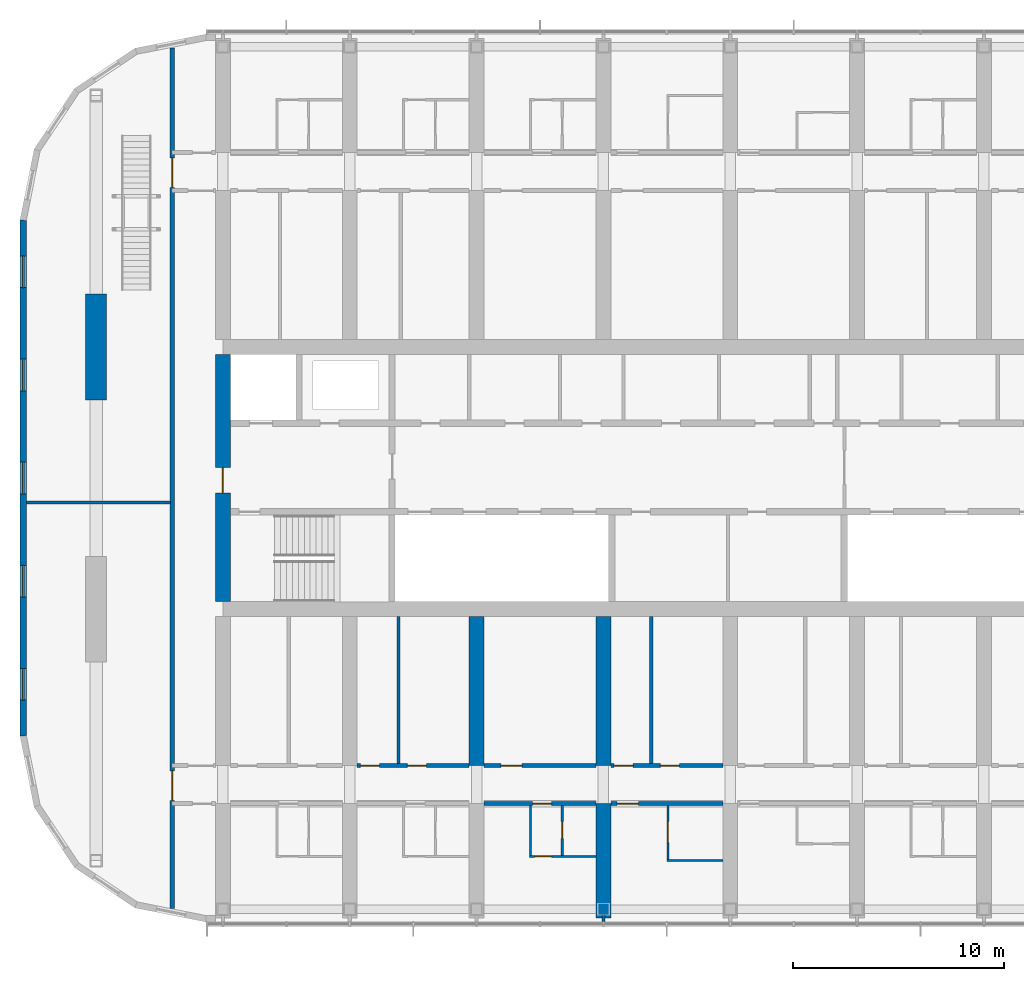
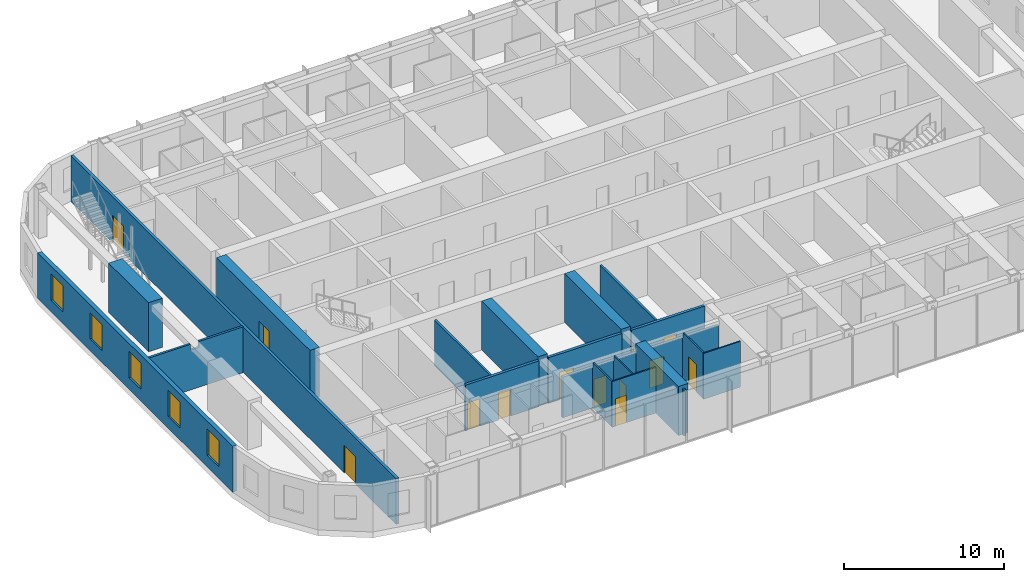
# One storey, part 13 of 27: 21 walls, 13 doors, 5 windows, 18 openings.
"""IFC4 building model written with IfcOpenShell, lengths in metres."""

from ifc_helpers import new_model, si_unit, direction, frame, frame_2d, origin, place, context, subcontext, project, spatial, polyline, rectangle, outline, extrude, material, layer, layer_set, type_object, element, fill, save


model = new_model("IFC4")

# Units and contexts
model_context = context("Model", 3, precision=1e-05, world=origin(), true_north=direction((0.0, 1.0)))
body_context = subcontext(model_context, "Body", "Model", "MODEL_VIEW")
ifc_project = project(units=[si_unit("LENGTHUNIT", "METRE"), si_unit("AREAUNIT", "SQUARE_METRE"), si_unit("VOLUMEUNIT", "CUBIC_METRE"), si_unit("PLANEANGLEUNIT", "RADIAN"), si_unit("MASSUNIT", "GRAM", prefix="KILO")], contexts=[model_context])

# Site, building, storey
site_placement = place(None, origin())
site = spatial("IfcSite", under=ifc_project, at=site_placement, CompositionType="ELEMENT")
building_placement = place(site_placement, origin())
building = spatial("IfcBuilding", under=site, at=building_placement, Name="Orbita Commons", CompositionType="ELEMENT")
storey_placement = place(building_placement, frame((0.0, 0.0, 246.550048828125)))
storey = spatial("IfcBuildingStorey", under=building, at=storey_placement, Name="L61", CompositionType="ELEMENT", Elevation=246.550048828125)

# Wall, opening, door
ifc_material_1 = material(Name="Concrete C50/60", Category="concrete")
ifc_layer_1 = layer(ifc_material_1, 0.699951171875)
ifc_layer_set_1 = layer_set([ifc_layer_1], Name="Concrete C50/60")
wall_type_1 = type_object("IfcWallType", Name="Core wall 700 C50/60", PredefinedType="SHEAR", material=ifc_layer_set_1)
wall_1_placement = place(storey_placement, frame((18.0, 26.14990234375, 0.0), z_axis=(0.0, 0.0, 1.0), x_axis=(0.0, 1.0, 0.0)))
wall_1 = element("IfcWall", 1, at=wall_1_placement, inside=storey, type_object=wall_type_1, Name="Core end wall west L61", PredefinedType="SHEAR", context=body_context, shape_type="SweptSolid", body=[
    extrude(rectangle(XDim=11.7001953125, YDim=0.699951171875, at=frame_2d((5.85009765625, 0.0))), origin(), (0.0, 0.0, 1.0), 3.75),
])
opening_1_placement = place(wall_1_placement, frame((5.14990234375, 0.0, 0.0)))
opening_1 = element("IfcOpeningElement", 2, at=opening_1_placement, cuts=wall_1, Name="Opening D01", PredefinedType="OPENING", context=body_context, shape_type="SweptSolid", body=[
    extrude(rectangle(XDim=1.199951171875, YDim=2.10009765625, at=frame_2d((0.60009765625, 1.050048828125))), frame((0.0, 0.35986328125, 0.0), z_axis=(0.0, -1.0, 0.0), x_axis=(1.0, 0.0, 0.0)), (0.0, 0.0, 1.0), 0.719970703125),
])
ifc_material_2 = material(Name="Steel-faced fire door leaf", Category="steel")
door_type_1 = type_object("IfcDoorType", Name="Fire door 90 min 1200x2100", OperationType="SINGLE_SWING_LEFT", PredefinedType="DOOR", material=ifc_material_2)
door_1_placement = place(opening_1_placement, origin())
door_1 = element("IfcDoor", 3, at=door_1_placement, inside=storey, type_object=door_type_1, Name="Firefighting lobby west door", OperationType="SINGLE_SWING_LEFT", OverallHeight=2.10009765625, OverallWidth=1.199951171875, PredefinedType="DOOR", context=body_context, shape_type="SweptSolid", body=[
    extrude(rectangle(XDim=1.199951171875, YDim=2.10009765625, at=frame_2d((0.60009765625, 1.050048828125))), frame((0.0, 0.02490234375, 0.0), z_axis=(0.0, -1.0, 0.0), x_axis=(1.0, 0.0, 0.0)), (0.0, 0.0, 1.0), 0.050048828125),
])
fill(opening_1, door_1)

ifc_material_3 = material(Name="Concrete blockwork", Category="masonry")
ifc_layer_2 = layer(ifc_material_3, 0.199951171875)
ifc_layer_set_2 = layer_set([ifc_layer_2], Name="Concrete blockwork")
wall_type_2 = type_object("IfcWallType", Name="Corridor wall 200 blockwork", PredefinedType="SOLIDWALL", material=ifc_layer_set_2)
wall_2_placement = place(storey_placement, frame((30.35009765625, 16.60009765625, 0.0), z_axis=(0.0, 0.0, 1.0), x_axis=(1.0, 0.0, 0.0)))
wall_2 = element("IfcWall", 4, at=wall_2_placement, inside=storey, type_object=wall_type_2, Name="Corridor wall 200 blockwork L61", PredefinedType="SOLIDWALL", context=body_context, shape_type="SweptSolid", body=[
    extrude(outline(polyline([(0.0, 0.0), (5.2998046875, 0.0), (5.300048828125, 3.099853515625), (0.0, 3.099853515625), (0.0, 0.0)])), frame((0.0, 0.10009765625, 0.0), z_axis=(0.0, -1.0, 0.0), x_axis=(1.0, 0.0, 0.0)), (0.0, 0.0, 1.0), 0.199951171875),
])
opening_2_placement = place(wall_2_placement, frame((2.300048828125, 0.0, 0.0)))
opening_2 = element("IfcOpeningElement", 5, at=opening_2_placement, cuts=wall_2, Name="Opening D11", PredefinedType="OPENING", context=body_context, shape_type="SweptSolid", body=[
    extrude(rectangle(XDim=0.89990234375, YDim=2.10009765625, at=frame_2d((0.449951171875, 1.050048828125))), frame((0.0, 0.10986328125, 0.0), z_axis=(0.0, -1.0, 0.0), x_axis=(1.0, 0.0, 0.0)), (0.0, 0.0, 1.0), 0.219970703125),
])
ifc_material_4 = material(Name="Steel-faced fire door leaf", Category="steel")
door_type_2 = type_object("IfcDoorType", Name="Corridor door 20 min 900x2100", OperationType="SINGLE_SWING_LEFT", PredefinedType="DOOR", material=ifc_material_4)
door_2_placement = place(opening_2_placement, origin())
door_2 = element("IfcDoor", 6, at=door_2_placement, inside=storey, type_object=door_type_2, Name="Studio flat L61-S04 entrance door", OperationType="SINGLE_SWING_LEFT", OverallHeight=2.10009765625, OverallWidth=0.89990234375, PredefinedType="DOOR", context=body_context, shape_type="SweptSolid", body=[
    extrude(rectangle(XDim=0.89990234375, YDim=2.10009765625, at=frame_2d((0.449951171875, 1.050048828125))), frame((0.0, 0.02490234375, 0.0), z_axis=(0.0, -1.0, 0.0), x_axis=(1.0, 0.0, 0.0)), (0.0, 0.0, 1.0), 0.050048828125),
])
fill(opening_2, door_2)

wall_3_placement = place(storey_placement, frame((36.35009765625, 16.60009765625, 0.0), z_axis=(0.0, 0.0, 1.0), x_axis=(1.0, 0.0, 0.0)))
wall_3 = element("IfcWall", 7, at=wall_3_placement, inside=storey, type_object=wall_type_2, Name="Corridor wall 200 blockwork L61", PredefinedType="SOLIDWALL", context=body_context, shape_type="SweptSolid", body=[
    extrude(outline(polyline([(0.0, 0.0), (5.2998046875, 0.0), (5.300048828125, 3.099853515625), (0.0, 3.099853515625), (0.0, 0.0)])), frame((0.0, 0.10009765625, 0.0), z_axis=(0.0, -1.0, 0.0), x_axis=(1.0, 0.0, 0.0)), (0.0, 0.0, 1.0), 0.199951171875),
])
opening_3_placement = place(wall_3_placement, frame((0.300048828125, 0.0, 0.0)))
opening_3 = element("IfcOpeningElement", 8, at=opening_3_placement, cuts=wall_3, Name="Opening D06", PredefinedType="OPENING", context=body_context, shape_type="SweptSolid", body=[
    extrude(rectangle(XDim=1.0, YDim=2.10009765625, at=frame_2d((0.5, 1.050048828125))), frame((0.0, 0.10986328125, 0.0), z_axis=(0.0, -1.0, 0.0), x_axis=(1.0, 0.0, 0.0)), (0.0, 0.0, 1.0), 0.219970703125),
])
ifc_material_5 = material(Name="Steel-faced fire door leaf", Category="steel")
door_type_3 = type_object("IfcDoorType", Name="Corridor door 20 min 1000x2100", OperationType="SINGLE_SWING_LEFT", PredefinedType="DOOR", material=ifc_material_5)
door_3_placement = place(opening_3_placement, origin())
door_3 = element("IfcDoor", 9, at=door_3_placement, inside=storey, type_object=door_type_3, Name="Accessible bedroom L61-S06 door", OperationType="SINGLE_SWING_LEFT", OverallHeight=2.10009765625, OverallWidth=1.0, PredefinedType="DOOR", context=body_context, shape_type="SweptSolid", body=[
    extrude(rectangle(XDim=1.0, YDim=2.10009765625, at=frame_2d((0.5, 1.050048828125))), frame((0.0, 0.02490234375, 0.0), z_axis=(0.0, -1.0, 0.0), x_axis=(1.0, 0.0, 0.0)), (0.0, 0.0, 1.0), 0.050048828125),
])
fill(opening_3, door_3)

# Wall, openings, doors
wall_4_placement = place(storey_placement, frame((15.60009765625, 11.646240234375, 0.0), z_axis=(0.0, 0.0, 1.0), x_axis=(0.0, 1.0, 0.0)))
wall_4 = element("IfcWall", 10, at=wall_4_placement, inside=storey, type_object=wall_type_2, Name="Corridor wall 200 blockwork L61", PredefinedType="SOLIDWALL", context=body_context, shape_type="SweptSolid", body=[
    extrude(rectangle(XDim=40.70751953125, YDim=0.199951171875, at=frame_2d((20.353759765625, 0.0))), origin(), (0.0, 0.0, 1.0), 3.5),
])
opening_4_placement = place(wall_4_placement, frame((5.103759765625, 0.0, 0.0)))
opening_4 = element("IfcOpeningElement", 11, at=opening_4_placement, cuts=wall_4, Name="Opening D08", PredefinedType="OPENING", context=body_context, shape_type="SweptSolid", body=[
    extrude(rectangle(XDim=1.39990234375, YDim=2.10009765625, at=frame_2d((0.699951171875, 1.050048828125))), frame((0.0, 0.10986328125, 0.0), z_axis=(0.0, -1.0, 0.0), x_axis=(1.0, 0.0, 0.0)), (0.0, 0.0, 1.0), 0.219970703125),
])
opening_5_placement = place(wall_4_placement, frame((34.103759765625, 0.0, 0.0)))
opening_5 = element("IfcOpeningElement", 12, at=opening_5_placement, cuts=wall_4, Name="Opening D08", PredefinedType="OPENING", context=body_context, shape_type="SweptSolid", body=[
    extrude(rectangle(XDim=1.39990234375, YDim=2.10009765625, at=frame_2d((0.699951171875, 1.050048828125))), frame((0.0, 0.10986328125, 0.0), z_axis=(0.0, -1.0, 0.0), x_axis=(1.0, 0.0, 0.0)), (0.0, 0.0, 1.0), 0.219970703125),
])
ifc_material_6 = material(Name="Steel-faced fire door leaf", Category="steel")
door_type_4 = type_object("IfcDoorType", Name="Double corridor door 20 min 1400x2100", OperationType="DOUBLE_DOOR_SINGLE_SWING", PredefinedType="DOOR", material=ifc_material_6)
door_4_placement = place(opening_4_placement, origin())
door_4 = element("IfcDoor", 13, at=door_4_placement, inside=storey, type_object=door_type_4, Name="Lounge doors", OperationType="DOUBLE_DOOR_SINGLE_SWING", OverallHeight=2.10009765625, OverallWidth=1.39990234375, PredefinedType="DOOR", context=body_context, shape_type="SweptSolid", body=[
    extrude(rectangle(XDim=1.39990234375, YDim=2.10009765625, at=frame_2d((0.699951171875, 1.050048828125))), frame((0.0, 0.02490234375, 0.0), z_axis=(0.0, -1.0, 0.0), x_axis=(1.0, 0.0, 0.0)), (0.0, 0.0, 1.0), 0.050048828125),
])
fill(opening_4, door_4)
door_5_placement = place(opening_5_placement, origin())
door_5 = element("IfcDoor", 14, at=door_5_placement, inside=storey, type_object=door_type_4, Name="Lounge doors", OperationType="DOUBLE_DOOR_SINGLE_SWING", OverallHeight=2.10009765625, OverallWidth=1.39990234375, PredefinedType="DOOR", context=body_context, shape_type="SweptSolid", body=[
    extrude(rectangle(XDim=1.39990234375, YDim=2.10009765625, at=frame_2d((0.699951171875, 1.050048828125))), frame((0.0, 0.02490234375, 0.0), z_axis=(0.0, -1.0, 0.0), x_axis=(1.0, 0.0, 0.0)), (0.0, 0.0, 1.0), 0.050048828125),
])
fill(opening_5, door_5)

ifc_material_7 = material(Name="Hollow concrete block 200", Category="concrete")
ifc_layer_3 = layer(ifc_material_7, 0.199951171875)
ifc_layer_set_3 = layer_set([ifc_layer_3], Name="Hollow concrete block 200")
wall_type_3 = type_object("IfcWallType", Name="Corridor wall 200 hollow concrete block", PredefinedType="SOLIDWALL", material=ifc_layer_set_3)
wall_5_placement = place(storey_placement, frame((24.35009765625, 18.39990234375, 0.0), z_axis=(0.0, 0.0, 1.0), x_axis=(1.0, 0.0, 0.0)))
wall_5 = element("IfcWall", 15, at=wall_5_placement, inside=storey, type_object=wall_type_3, Name="Corridor wall 200 hollow concrete block L61", PredefinedType="SOLIDWALL", context=body_context, shape_type="SweptSolid", body=[
    extrude(rectangle(XDim=5.2998046875, YDim=0.199951171875, at=frame_2d((2.64990234375, 0.0))), origin(), (0.0, 0.0, 1.0), 3.5),
])
opening_6_placement = place(wall_5_placement, frame((0.14990234375, 0.0, 0.0)))
opening_6 = element("IfcOpeningElement", 16, at=opening_6_placement, cuts=wall_5, Name="Opening D11", PredefinedType="OPENING", context=body_context, shape_type="SweptSolid", body=[
    extrude(rectangle(XDim=0.89990234375, YDim=2.10009765625, at=frame_2d((0.449951171875, 1.050048828125))), frame((0.0, 0.10986328125, 0.0), z_axis=(0.0, -1.0, 0.0), x_axis=(1.0, 0.0, 0.0)), (0.0, 0.0, 1.0), 0.219970703125),
])
opening_7_placement = place(wall_5_placement, frame((2.3798828125, 0.0, 0.0)))
opening_7 = element("IfcOpeningElement", 17, at=opening_7_placement, cuts=wall_5, Name="Opening D11", PredefinedType="OPENING", context=body_context, shape_type="SweptSolid", body=[
    extrude(rectangle(XDim=0.89990234375, YDim=2.10009765625, at=frame_2d((0.449951171875, 1.050048828125))), frame((0.0, 0.10986328125, 0.0), z_axis=(0.0, -1.0, 0.0), x_axis=(1.0, 0.0, 0.0)), (0.0, 0.0, 1.0), 0.219970703125),
])
door_6_placement = place(opening_6_placement, origin())
door_6 = element("IfcDoor", 18, at=door_6_placement, inside=storey, type_object=door_type_2, Name="Battery and UPS room L61-BDS24n door", OperationType="SINGLE_SWING_LEFT", OverallHeight=2.10009765625, OverallWidth=0.89990234375, PredefinedType="DOOR", context=body_context, shape_type="SweptSolid", body=[
    extrude(rectangle(XDim=0.89990234375, YDim=2.10009765625, at=frame_2d((0.449951171875, 1.050048828125))), frame((0.0, 0.02490234375, 0.0), z_axis=(0.0, -1.0, 0.0), x_axis=(1.0, 0.0, 0.0)), (0.0, 0.0, 1.0), 0.050048828125),
])
fill(opening_6, door_6)
door_7_placement = place(opening_7_placement, origin())
door_7 = element("IfcDoor", 19, at=door_7_placement, inside=storey, type_object=door_type_2, Name="Board room L61-BDS24 door", OperationType="SINGLE_SWING_LEFT", OverallHeight=2.10009765625, OverallWidth=0.89990234375, PredefinedType="DOOR", context=body_context, shape_type="SweptSolid", body=[
    extrude(rectangle(XDim=0.89990234375, YDim=2.10009765625, at=frame_2d((0.449951171875, 1.050048828125))), frame((0.0, 0.02490234375, 0.0), z_axis=(0.0, -1.0, 0.0), x_axis=(1.0, 0.0, 0.0)), (0.0, 0.0, 1.0), 0.050048828125),
])
fill(opening_7, door_7)

# Wall, opening, door
wall_6_placement = place(storey_placement, frame((30.35009765625, 18.39990234375, 0.0), z_axis=(0.0, 0.0, 1.0), x_axis=(1.0, 0.0, 0.0)))
wall_6 = element("IfcWall", 20, at=wall_6_placement, inside=storey, type_object=wall_type_3, Name="Corridor wall 200 hollow concrete block L61", PredefinedType="SOLIDWALL", context=body_context, shape_type="SweptSolid", body=[
    extrude(rectangle(XDim=5.2998046875, YDim=0.199951171875, at=frame_2d((2.64990234375, 0.0))), origin(), (0.0, 0.0, 1.0), 3.5),
])
opening_8_placement = place(wall_6_placement, frame((0.800048828125, 0.0, 0.0)))
opening_8 = element("IfcOpeningElement", 21, at=opening_8_placement, cuts=wall_6, Name="Opening D06", PredefinedType="OPENING", context=body_context, shape_type="SweptSolid", body=[
    extrude(rectangle(XDim=1.0, YDim=2.10009765625, at=frame_2d((0.5, 1.050048828125))), frame((0.0, 0.10986328125, 0.0), z_axis=(0.0, -1.0, 0.0), x_axis=(1.0, 0.0, 0.0)), (0.0, 0.0, 1.0), 0.219970703125),
])
door_8_placement = place(opening_8_placement, origin())
door_8 = element("IfcDoor", 22, at=door_8_placement, inside=storey, type_object=door_type_3, Name="Parcel and post room L61-BDS30 door", OperationType="SINGLE_SWING_LEFT", OverallHeight=2.10009765625, OverallWidth=1.0, PredefinedType="DOOR", context=body_context, shape_type="SweptSolid", body=[
    extrude(rectangle(XDim=1.0, YDim=2.10009765625, at=frame_2d((0.5, 1.050048828125))), frame((0.0, 0.02490234375, 0.0), z_axis=(0.0, -1.0, 0.0), x_axis=(1.0, 0.0, 0.0)), (0.0, 0.0, 1.0), 0.050048828125),
])
fill(opening_8, door_8)

# Wall, openings, doors
wall_7_placement = place(storey_placement, frame((36.35009765625, 18.39990234375, 0.0), z_axis=(0.0, 0.0, 1.0), x_axis=(1.0, 0.0, 0.0)))
wall_7 = element("IfcWall", 23, at=wall_7_placement, inside=storey, type_object=wall_type_3, Name="Corridor wall 200 hollow concrete block L61", PredefinedType="SOLIDWALL", context=body_context, shape_type="SweptSolid", body=[
    extrude(rectangle(XDim=5.2998046875, YDim=0.199951171875, at=frame_2d((2.64990234375, 0.0))), origin(), (0.0, 0.0, 1.0), 3.5),
])
opening_9_placement = place(wall_7_placement, frame((0.14990234375, 0.0, 0.0)))
opening_9 = element("IfcOpeningElement", 24, at=opening_9_placement, cuts=wall_7, Name="Opening D11", PredefinedType="OPENING", context=body_context, shape_type="SweptSolid", body=[
    extrude(rectangle(XDim=0.89990234375, YDim=2.10009765625, at=frame_2d((0.449951171875, 1.050048828125))), frame((0.0, 0.10986328125, 0.0), z_axis=(0.0, -1.0, 0.0), x_axis=(1.0, 0.0, 0.0)), (0.0, 0.0, 1.0), 0.219970703125),
])
opening_10_placement = place(wall_7_placement, frame((2.340087890625, 0.0, 0.0)))
opening_10 = element("IfcOpeningElement", 25, at=opening_10_placement, cuts=wall_7, Name="Opening D11", PredefinedType="OPENING", context=body_context, shape_type="SweptSolid", body=[
    extrude(rectangle(XDim=0.89990234375, YDim=2.10009765625, at=frame_2d((0.449951171875, 1.050048828125))), frame((0.0, 0.10986328125, 0.0), z_axis=(0.0, -1.0, 0.0), x_axis=(1.0, 0.0, 0.0)), (0.0, 0.0, 1.0), 0.219970703125),
])
door_9_placement = place(opening_9_placement, origin())
door_9 = element("IfcDoor", 26, at=door_9_placement, inside=storey, type_object=door_type_2, Name="Sprinkler valve room L61-BDS36n door", OperationType="SINGLE_SWING_LEFT", OverallHeight=2.10009765625, OverallWidth=0.89990234375, PredefinedType="DOOR", context=body_context, shape_type="SweptSolid", body=[
    extrude(rectangle(XDim=0.89990234375, YDim=2.10009765625, at=frame_2d((0.449951171875, 1.050048828125))), frame((0.0, 0.02490234375, 0.0), z_axis=(0.0, -1.0, 0.0), x_axis=(1.0, 0.0, 0.0)), (0.0, 0.0, 1.0), 0.050048828125),
])
fill(opening_9, door_9)
door_10_placement = place(opening_10_placement, origin())
door_10 = element("IfcDoor", 27, at=door_10_placement, inside=storey, type_object=door_type_2, Name="Group meeting room L61-BDS36 door", OperationType="SINGLE_SWING_LEFT", OverallHeight=2.10009765625, OverallWidth=0.89990234375, PredefinedType="DOOR", context=body_context, shape_type="SweptSolid", body=[
    extrude(rectangle(XDim=0.89990234375, YDim=2.10009765625, at=frame_2d((0.449951171875, 1.050048828125))), frame((0.0, 0.02490234375, 0.0), z_axis=(0.0, -1.0, 0.0), x_axis=(1.0, 0.0, 0.0)), (0.0, 0.0, 1.0), 0.050048828125),
])
fill(opening_10, door_10)

# Walls
ifc_material_8 = material(Name="Concrete C50/60", Category="concrete")
ifc_layer_4 = layer(ifc_material_8, 0.699951171875)
ifc_layer_set_4 = layer_set([ifc_layer_4], Name="Concrete C50/60")
wall_type_4 = type_object("IfcWallType", Name="Cross wall 700 C50/60", PredefinedType="SHEAR", material=ifc_layer_set_4)
wall_8_placement = place(storey_placement, frame((30.0, 18.39990234375, 0.0), z_axis=(0.0, 0.0, 1.0), x_axis=(0.0, 1.0, 0.0)))
element("IfcWall", 28, at=wall_8_placement, inside=storey, type_object=wall_type_4, Name="Cross wall 6 south inner L61", PredefinedType="SHEAR", context=body_context, shape_type="SweptSolid", body=[
    extrude(rectangle(XDim=7.050048828125, YDim=0.699951171875, at=frame_2d((3.52490234375, 0.0))), origin(), (0.0, 0.0, 1.0), 3.75),
])
wall_9_placement = place(storey_placement, frame((36.0, 11.199951171875, 0.0), z_axis=(0.0, 0.0, 1.0), x_axis=(0.0, 1.0, 0.0)))
element("IfcWall", 29, at=wall_9_placement, inside=storey, type_object=wall_type_4, Name="Cross wall 7 south outer L61", PredefinedType="SHEAR", context=body_context, shape_type="SweptSolid", body=[
    extrude(rectangle(XDim=5.400146484375, YDim=0.699951171875, at=frame_2d((2.7001953125, 0.0))), origin(), (0.0, 0.0, 1.0), 3.75),
])
wall_10_placement = place(storey_placement, frame((36.0, 18.39990234375, 0.0), z_axis=(0.0, 0.0, 1.0), x_axis=(0.0, 1.0, 0.0)))
element("IfcWall", 30, at=wall_10_placement, inside=storey, type_object=wall_type_4, Name="Cross wall 7 south inner L61", PredefinedType="SHEAR", context=body_context, shape_type="SweptSolid", body=[
    extrude(rectangle(XDim=7.050048828125, YDim=0.699951171875, at=frame_2d((3.52490234375, 0.0))), origin(), (0.0, 0.0, 1.0), 3.75),
])

# Wall, opening, door
ifc_material_9 = material(Name="Moisture-resistant plasterboard on steel studs", Category="steel")
ifc_layer_5 = layer(ifc_material_9, 0.10009765625)
ifc_layer_set_5 = layer_set([ifc_layer_5], Name="Moisture-resistant plasterboard on steel studs")
wall_type_5 = type_object("IfcWallType", Name="En-suite partition 100", PredefinedType="PARTITIONING", material=ifc_layer_set_5)
wall_11_placement = place(storey_placement, frame((35.64990234375, 14.10009765625, 0.0), z_axis=(0.0, 0.0, 1.0), x_axis=(-1.0, 0.0, 0.0)))
wall_11 = element("IfcWall", 31, at=wall_11_placement, inside=storey, type_object=wall_type_5, Name="En-suite partition 100 L61", PredefinedType="PARTITIONING", context=body_context, shape_type="SweptSolid", body=[
    extrude(rectangle(XDim=3.14990234375, YDim=0.10009765625, at=frame_2d((1.574951171875, 0.0))), origin(), (0.0, 0.0, 1.0), 3.5),
])
opening_11_placement = place(wall_11_placement, frame((2.10009765625, 0.0, 0.0)))
opening_11 = element("IfcOpeningElement", 32, at=opening_11_placement, cuts=wall_11, Name="Opening D16", PredefinedType="OPENING", context=body_context, shape_type="SweptSolid", body=[
    extrude(rectangle(XDim=0.800048828125, YDim=2.10009765625, at=frame_2d((0.39990234375, 1.050048828125))), frame((0.0, 0.06005859375, 0.0), z_axis=(0.0, -1.0, 0.0), x_axis=(1.0, 0.0, 0.0)), (0.0, 0.0, 1.0), 0.1201171875),
])
ifc_material_10 = material(Name="Laminated timber door leaf", Category="wood")
door_type_5 = type_object("IfcDoorType", Name="En-suite door 800x2100", OperationType="SINGLE_SWING_RIGHT", PredefinedType="DOOR", material=ifc_material_10)
door_11_placement = place(opening_11_placement, origin())
door_11 = element("IfcDoor", 33, at=door_11_placement, inside=storey, type_object=door_type_5, Name="Studio flat L61-S04 door", OperationType="SINGLE_SWING_RIGHT", OverallHeight=2.10009765625, OverallWidth=0.800048828125, PredefinedType="DOOR", context=body_context, shape_type="SweptSolid", body=[
    extrude(rectangle(XDim=0.800048828125, YDim=2.10009765625, at=frame_2d((0.39990234375, 1.050048828125))), frame((0.0, 0.02490234375, 0.0), z_axis=(0.0, -1.0, 0.0), x_axis=(1.0, 0.0, 0.0)), (0.0, 0.0, 1.0), 0.050048828125),
])
fill(opening_11, door_11)

# Wall
wall_12_placement = place(storey_placement, frame((32.550048828125, 14.14990234375, 0.0), z_axis=(0.0, 0.0, 1.0), x_axis=(0.0, 1.0, 0.0)))
element("IfcWall", 34, at=wall_12_placement, inside=storey, type_object=wall_type_5, Name="En-suite partition 100 L61", PredefinedType="PARTITIONING", context=body_context, shape_type="SweptSolid", body=[
    extrude(outline(polyline([(0.0, 0.0), (2.35009765625, 0.0), (2.35009765625, 3.099853515625), (2.302001953125, 3.099853515625), (2.300048828125, 3.5), (0.0, 3.5), (0.0, 0.0)])), frame((0.0, 0.050048828125, 0.0), z_axis=(0.0, -1.0, 0.0), x_axis=(1.0, 0.0, 0.0)), (0.0, 0.0, 1.0), 0.10009765625),
])

# Wall, opening, door
wall_13_placement = place(storey_placement, frame((34.050048828125, 14.14990234375, 0.0), z_axis=(0.0, 0.0, 1.0), x_axis=(0.0, 1.0, 0.0)))
wall_13 = element("IfcWall", 35, at=wall_13_placement, inside=storey, type_object=wall_type_5, Name="En-suite partition 100 L61", PredefinedType="PARTITIONING", context=body_context, shape_type="SweptSolid", body=[
    extrude(outline(polyline([(0.0, 0.0), (2.35009765625, 0.0), (2.35009765625, 3.099853515625), (2.302001953125, 3.099853515625), (2.300048828125, 3.5), (0.0, 3.5), (0.0, 0.0)])), frame((0.0, 0.050048828125, 0.0), z_axis=(0.0, -1.0, 0.0), x_axis=(1.0, 0.0, 0.0)), (0.0, 0.0, 1.0), 0.10009765625),
])
opening_12_placement = place(wall_13_placement, frame((0.800048828125, 0.0, 0.0)))
opening_12 = element("IfcOpeningElement", 36, at=opening_12_placement, cuts=wall_13, Name="Opening D16", PredefinedType="OPENING", context=body_context, shape_type="SweptSolid", body=[
    extrude(rectangle(XDim=0.800048828125, YDim=2.10009765625, at=frame_2d((0.39990234375, 1.050048828125))), frame((0.0, 0.06005859375, 0.0), z_axis=(0.0, -1.0, 0.0), x_axis=(1.0, 0.0, 0.0)), (0.0, 0.0, 1.0), 0.1201171875),
])
door_12_placement = place(opening_12_placement, origin())
door_12 = element("IfcDoor", 37, at=door_12_placement, inside=storey, type_object=door_type_5, Name="Studio flat shower room L61-S04 door", OperationType="SINGLE_SWING_RIGHT", OverallHeight=2.10009765625, OverallWidth=0.800048828125, PredefinedType="DOOR", context=body_context, shape_type="SweptSolid", body=[
    extrude(rectangle(XDim=0.800048828125, YDim=2.10009765625, at=frame_2d((0.39990234375, 1.050048828125))), frame((0.0, 0.02490234375, 0.0), z_axis=(0.0, -1.0, 0.0), x_axis=(1.0, 0.0, 0.0)), (0.0, 0.0, 1.0), 0.050048828125),
])
fill(opening_12, door_12)

# Wall
wall_14_placement = place(storey_placement, frame((39.0, 13.89990234375, 0.0), z_axis=(0.0, 0.0, 1.0), x_axis=(1.0, 0.0, 0.0)))
element("IfcWall", 38, at=wall_14_placement, inside=storey, type_object=wall_type_5, Name="En-suite partition 100 L61", PredefinedType="PARTITIONING", context=body_context, shape_type="SweptSolid", body=[
    extrude(rectangle(XDim=2.64990234375, YDim=0.10009765625, at=frame_2d((1.324951171875, 0.0))), origin(), (0.0, 0.0, 1.0), 3.5),
])

# Wall, opening, door
wall_15_placement = place(storey_placement, frame((39.050048828125, 13.949951171875, 0.0), z_axis=(0.0, 0.0, 1.0), x_axis=(0.0, 1.0, 0.0)))
wall_15 = element("IfcWall", 39, at=wall_15_placement, inside=storey, type_object=wall_type_5, Name="En-suite partition 100 L61", PredefinedType="PARTITIONING", context=body_context, shape_type="SweptSolid", body=[
    extrude(outline(polyline([(0.0, 0.0), (2.550048828125, 0.0), (2.550048828125, 3.099853515625), (2.501953125, 3.099853515625), (2.5, 3.5), (0.0, 3.5), (0.0, 0.0)])), frame((0.0, 0.050048828125, 0.0), z_axis=(0.0, -1.0, 0.0), x_axis=(1.0, 0.0, 0.0)), (0.0, 0.0, 1.0), 0.10009765625),
])
opening_13_placement = place(wall_15_placement, frame((0.800048828125, 0.0, 0.0)))
opening_13 = element("IfcOpeningElement", 40, at=opening_13_placement, cuts=wall_15, Name="Opening D13", PredefinedType="OPENING", context=body_context, shape_type="SweptSolid", body=[
    extrude(rectangle(XDim=1.0, YDim=2.10009765625, at=frame_2d((0.5, 1.050048828125))), frame((0.0, 0.06005859375, 0.0), z_axis=(0.0, -1.0, 0.0), x_axis=(1.0, 0.0, 0.0)), (0.0, 0.0, 1.0), 0.1201171875),
])
ifc_material_11 = material(Name="Laminated timber door leaf", Category="wood")
door_type_6 = type_object("IfcDoorType", Name="En-suite door 1000x2100", OperationType="SINGLE_SWING_RIGHT", PredefinedType="DOOR", material=ifc_material_11)
door_13_placement = place(opening_13_placement, origin())
door_13 = element("IfcDoor", 41, at=door_13_placement, inside=storey, type_object=door_type_6, Name="Accessible shower room L61-S06 door", OperationType="SINGLE_SWING_RIGHT", OverallHeight=2.10009765625, OverallWidth=1.0, PredefinedType="DOOR", context=body_context, shape_type="SweptSolid", body=[
    extrude(rectangle(XDim=1.0, YDim=2.10009765625, at=frame_2d((0.5, 1.050048828125))), frame((0.0, 0.02490234375, 0.0), z_axis=(0.0, -1.0, 0.0), x_axis=(1.0, 0.0, 0.0)), (0.0, 0.0, 1.0), 0.050048828125),
])
fill(opening_13, door_13)

# Walls
ifc_material_12 = material(Name="Concrete C50/60", Category="concrete")
ifc_layer_6 = layer(ifc_material_12, 1.0)
ifc_layer_set_6 = layer_set([ifc_layer_6], Name="Concrete C50/60")
wall_type_6 = type_object("IfcWallType", Name="End pier 1000x5000 C50/60", PredefinedType="SHEAR", material=ifc_layer_set_6)
wall_16_placement = place(storey_placement, frame((12.0, 35.699951171875, 0.0), z_axis=(0.0, 0.0, 1.0), x_axis=(0.0, 1.0, 0.0)))
element("IfcWall", 42, at=wall_16_placement, inside=storey, type_object=wall_type_6, Name="End pier 3/D L61", PredefinedType="SHEAR", context=body_context, shape_type="SweptSolid", body=[
    extrude(rectangle(XDim=5.0, YDim=1.0, at=frame_2d((2.5, 0.0))), origin(), (0.0, 0.0, 1.0), 3.75),
])
ifc_material_13 = material(Name="Gypsum plasterboard on steel studs", Category="steel")
ifc_layer_7 = layer(ifc_material_13, 0.14990234375)
ifc_layer_set_7 = layer_set([ifc_layer_7], Name="Gypsum plasterboard on steel studs")
wall_type_7 = type_object("IfcWallType", Name="Partition 150 plasterboard", PredefinedType="PARTITIONING", material=ifc_layer_set_7)
for number, where, z_axis, x_axis, name in (
    (43, (26.304931640625, 18.5, 0.0), (0.0, 0.0, 1.0), (0.0, 1.0, 0.0), "Partition 150 plasterboard L61"),
    (44, (38.264892578125, 18.5, 0.0), (0.0, 0.0, 1.0), (0.0, 1.0, 0.0), "Partition 150 plasterboard L61"),
):
    element("IfcWall", number, at=place(storey_placement, frame(where, z_axis=z_axis, x_axis=x_axis)), inside=storey, type_object=wall_type_7, Name=name, PredefinedType="PARTITIONING", context=body_context, shape_type="SweptSolid", body=[
        extrude(rectangle(XDim=6.949951171875, YDim=0.14990234375, at=frame_2d((3.47509765625, 0.0))), origin(), (0.0, 0.0, 1.0), 3.5),
    ])
wall_17_placement = place(storey_placement, frame((8.705078125, 30.85009765625, 0.0), z_axis=(0.0, 0.0, 1.0), x_axis=(1.0, 0.0, 0.0)))
element("IfcWall", 45, at=wall_17_placement, inside=storey, type_object=wall_type_7, Name="Partition 150 plasterboard L61", PredefinedType="PARTITIONING", context=body_context, shape_type="SweptSolid", body=[
    extrude(outline(polyline([(0.0, 0.0), (6.81982421875, 0.0), (6.820068359375, 3.5), (3.596923828125, 3.5), (3.594970703125, 3.050048828125), (2.9970703125, 3.050048828125), (2.9951171875, 3.5), (0.0, 3.5), (0.0, 0.0)])), frame((0.0, 0.074951171875, 0.0), z_axis=(0.0, -1.0, 0.0), x_axis=(1.0, 0.0, 0.0)), (0.0, 0.0, 1.0), 0.14990234375),
])
wall_18_placement = place(storey_placement, frame((36.0, 11.300048828125, 0.0), z_axis=(0.0, 0.0, 1.0), x_axis=(0.0, -1.0, 0.0)))
element("IfcWall", 46, at=wall_18_placement, inside=storey, type_object=wall_type_7, Name="Partition 150 plasterboard L61", PredefinedType="PARTITIONING", context=body_context, shape_type="SweptSolid", body=[
    extrude(rectangle(XDim=0.2900390625, YDim=0.14990234375, at=frame_2d((0.14501953125, 0.0))), origin(), (0.0, 0.0, 1.0), 3.5),
])

# Wall, openings, windows
ifc_material_14 = material(Name="Precast concrete C40/50, white board-marked finish", Category="concrete")
ifc_layer_8 = layer(ifc_material_14, 0.300048828125)
ifc_layer_set_8 = layer_set([ifc_layer_8], Name="Precast concrete C40/50, white board-marked finish")
wall_type_8 = type_object("IfcWallType", Name="Precast concrete end shield 300", PredefinedType="SOLIDWALL", material=ifc_layer_set_8)
wall_19_placement = place(storey_placement, frame((8.550048828125, 44.199951171875, 0.0), z_axis=(0.0, 0.0, 1.0), x_axis=(0.0, -1.0, 0.0)))
wall_19 = element("IfcWall", 47, at=wall_19_placement, inside=storey, type_object=wall_type_8, Name="End shield W L61", PredefinedType="SOLIDWALL", context=body_context, shape_type="SweptSolid", body=[
    extrude(outline(polyline([(-0.014892578125, -0.14990234375), (24.414794921875, -0.14990234375), (24.385009765625, 0.14990234375), (0.014892578125, 0.14990234375), (-0.014892578125, -0.14990234375)])), origin(), (0.0, 0.0, 1.0), 3.5),
])
opening_14_placement = place(wall_19_placement, frame((1.68994140625, 0.0, 0.89990234375)))
opening_14 = element("IfcOpeningElement", 48, at=opening_14_placement, cuts=wall_19, Name="Opening W01", PredefinedType="OPENING", context=body_context, shape_type="SweptSolid", body=[
    extrude(rectangle(XDim=1.5, YDim=2.0, at=frame_2d((0.75, 1.0))), frame((0.0, 0.159912109375, 0.0), z_axis=(0.0, -1.0, 0.0), x_axis=(1.0, 0.0, 0.0)), (0.0, 0.0, 1.0), 0.320068359375),
])
opening_15_placement = place(wall_19_placement, frame((6.570068359375, 0.0, 0.89990234375)))
opening_15 = element("IfcOpeningElement", 49, at=opening_15_placement, cuts=wall_19, Name="Opening W01", PredefinedType="OPENING", context=body_context, shape_type="SweptSolid", body=[
    extrude(rectangle(XDim=1.5, YDim=2.0, at=frame_2d((0.75, 1.0))), frame((0.0, 0.159912109375, 0.0), z_axis=(0.0, -1.0, 0.0), x_axis=(1.0, 0.0, 0.0)), (0.0, 0.0, 1.0), 0.320068359375),
])
opening_16_placement = place(wall_19_placement, frame((11.449951171875, 0.0, 0.89990234375)))
opening_16 = element("IfcOpeningElement", 50, at=opening_16_placement, cuts=wall_19, Name="Opening W01", PredefinedType="OPENING", context=body_context, shape_type="SweptSolid", body=[
    extrude(rectangle(XDim=1.5, YDim=2.0, at=frame_2d((0.75, 1.0))), frame((0.0, 0.159912109375, 0.0), z_axis=(0.0, -1.0, 0.0), x_axis=(1.0, 0.0, 0.0)), (0.0, 0.0, 1.0), 0.320068359375),
])
opening_17_placement = place(wall_19_placement, frame((16.330078125, 0.0, 0.89990234375)))
opening_17 = element("IfcOpeningElement", 51, at=opening_17_placement, cuts=wall_19, Name="Opening W01", PredefinedType="OPENING", context=body_context, shape_type="SweptSolid", body=[
    extrude(rectangle(XDim=1.5, YDim=2.0, at=frame_2d((0.75, 1.0))), frame((0.0, 0.159912109375, 0.0), z_axis=(0.0, -1.0, 0.0), x_axis=(1.0, 0.0, 0.0)), (0.0, 0.0, 1.0), 0.320068359375),
])
opening_18_placement = place(wall_19_placement, frame((21.2099609375, 0.0, 0.89990234375)))
opening_18 = element("IfcOpeningElement", 52, at=opening_18_placement, cuts=wall_19, Name="Opening W01", PredefinedType="OPENING", context=body_context, shape_type="SweptSolid", body=[
    extrude(rectangle(XDim=1.5, YDim=2.0, at=frame_2d((0.75, 1.0))), frame((0.0, 0.159912109375, 0.0), z_axis=(0.0, -1.0, 0.0), x_axis=(1.0, 0.0, 0.0)), (0.0, 0.0, 1.0), 0.320068359375),
])
ifc_material_15 = material(Name="Aluminium frame, clear double glazing", Category="aluminium")
window_type = type_object("IfcWindowType", Name="Deep-set window 1500x2000", PartitioningType="SINGLE_PANEL", PredefinedType="WINDOW", material=ifc_material_15)
window_1_placement = place(opening_14_placement, origin())
window_1 = element("IfcWindow", 53, at=window_1_placement, inside=storey, type_object=window_type, Name="Window L61-W 1", OverallHeight=2.0, OverallWidth=1.5, PartitioningType="SINGLE_PANEL", PredefinedType="WINDOW", context=body_context, shape_type="SweptSolid", body=[
    extrude(rectangle(XDim=1.5, YDim=2.0, at=frame_2d((0.75, 1.0))), frame((0.0, 0.030029296875, 0.0), z_axis=(0.0, -1.0, 0.0), x_axis=(1.0, 0.0, 0.0)), (0.0, 0.0, 1.0), 0.06005859375),
])
fill(opening_14, window_1)
window_2_placement = place(opening_15_placement, origin())
window_2 = element("IfcWindow", 54, at=window_2_placement, inside=storey, type_object=window_type, Name="Window L61-W 2", OverallHeight=2.0, OverallWidth=1.5, PartitioningType="SINGLE_PANEL", PredefinedType="WINDOW", context=body_context, shape_type="SweptSolid", body=[
    extrude(rectangle(XDim=1.5, YDim=2.0, at=frame_2d((0.75, 1.0))), frame((0.0, 0.030029296875, 0.0), z_axis=(0.0, -1.0, 0.0), x_axis=(1.0, 0.0, 0.0)), (0.0, 0.0, 1.0), 0.06005859375),
])
fill(opening_15, window_2)
window_3_placement = place(opening_16_placement, origin())
window_3 = element("IfcWindow", 55, at=window_3_placement, inside=storey, type_object=window_type, Name="Window L61-W 3", OverallHeight=2.0, OverallWidth=1.5, PartitioningType="SINGLE_PANEL", PredefinedType="WINDOW", context=body_context, shape_type="SweptSolid", body=[
    extrude(rectangle(XDim=1.5, YDim=2.0, at=frame_2d((0.75, 1.0))), frame((0.0, 0.030029296875, 0.0), z_axis=(0.0, -1.0, 0.0), x_axis=(1.0, 0.0, 0.0)), (0.0, 0.0, 1.0), 0.06005859375),
])
fill(opening_16, window_3)
window_4_placement = place(opening_17_placement, origin())
window_4 = element("IfcWindow", 56, at=window_4_placement, inside=storey, type_object=window_type, Name="Window L61-W 4", OverallHeight=2.0, OverallWidth=1.5, PartitioningType="SINGLE_PANEL", PredefinedType="WINDOW", context=body_context, shape_type="SweptSolid", body=[
    extrude(rectangle(XDim=1.5, YDim=2.0, at=frame_2d((0.75, 1.0))), frame((0.0, 0.030029296875, 0.0), z_axis=(0.0, -1.0, 0.0), x_axis=(1.0, 0.0, 0.0)), (0.0, 0.0, 1.0), 0.06005859375),
])
fill(opening_17, window_4)
window_5_placement = place(opening_18_placement, origin())
window_5 = element("IfcWindow", 57, at=window_5_placement, inside=storey, type_object=window_type, Name="Window L61-W 5", OverallHeight=2.0, OverallWidth=1.5, PartitioningType="SINGLE_PANEL", PredefinedType="WINDOW", context=body_context, shape_type="SweptSolid", body=[
    extrude(rectangle(XDim=1.5, YDim=2.0, at=frame_2d((0.75, 1.0))), frame((0.0, 0.030029296875, 0.0), z_axis=(0.0, -1.0, 0.0), x_axis=(1.0, 0.0, 0.0)), (0.0, 0.0, 1.0), 0.06005859375),
])
fill(opening_18, window_5)

save(model, "model.ifc")
